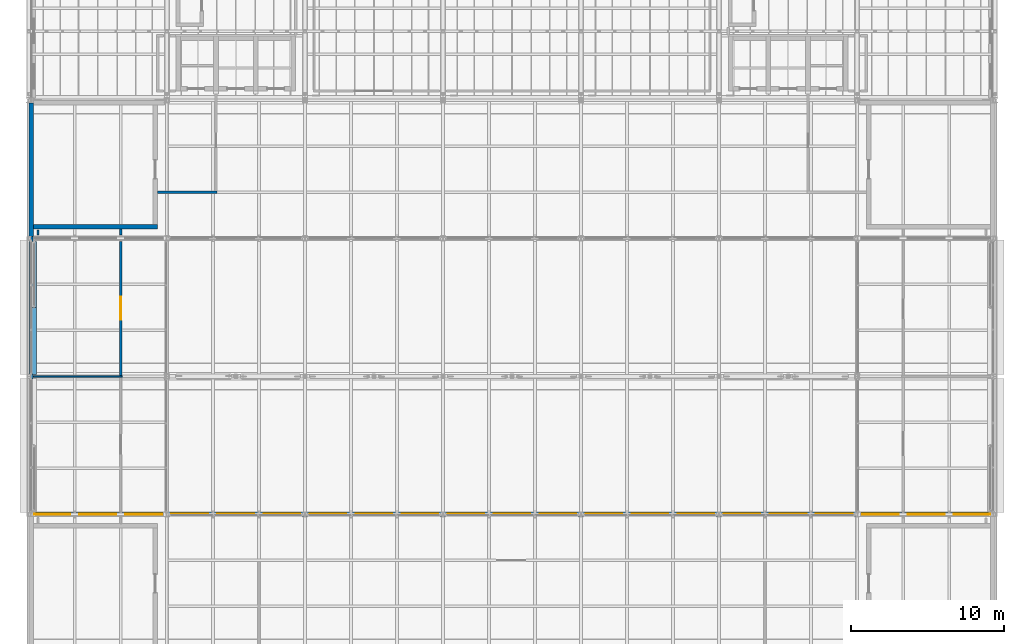
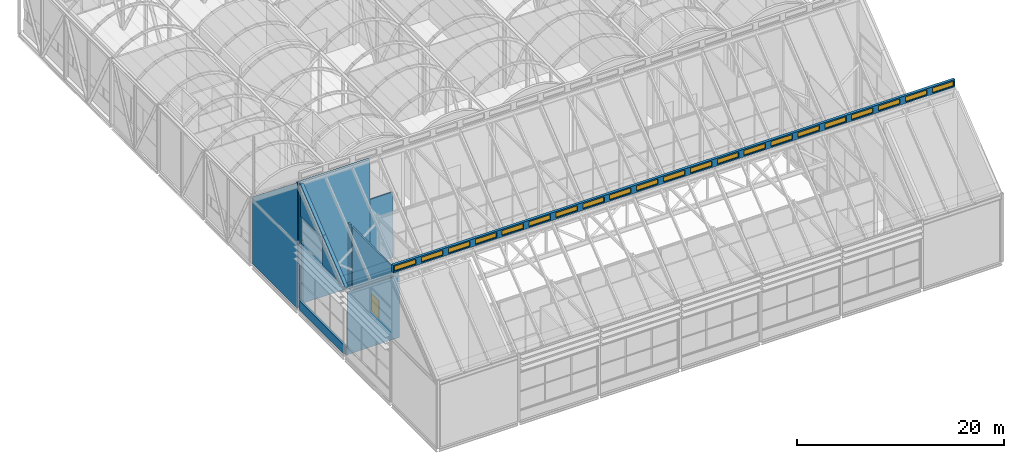
# One storey, part 125 of 144: 21 windows, 13 walls, 1 door, 22 openings.
"""IFC4 building model written with IfcOpenShell, lengths in metres."""

from ifc_helpers import new_model, si_unit, direction, frame, frame_2d, origin, place, context, subcontext, project, spatial, polyline, rectangle, outline, extrude, material, layer, layer_set, type_object, element, fill, save


model = new_model("IFC4")

# Units and contexts
model_context = context("Model", 3, precision=1e-05, world=origin(), true_north=direction((0.0, 1.0)))
body_context = subcontext(model_context, "Body", "Model", "MODEL_VIEW")
ifc_project = project(units=[si_unit("LENGTHUNIT", "METRE"), si_unit("AREAUNIT", "SQUARE_METRE"), si_unit("VOLUMEUNIT", "CUBIC_METRE"), si_unit("PLANEANGLEUNIT", "RADIAN"), si_unit("MASSUNIT", "GRAM", prefix="KILO")], contexts=[model_context])

# Site, building, storey
site_placement = place(None, origin())
site = spatial("IfcSite", under=ifc_project, at=site_placement, CompositionType="ELEMENT")
building_placement = place(site_placement, origin())
building = spatial("IfcBuilding", under=site, at=building_placement, Name="Shorebreak Coast Museum", CompositionType="ELEMENT")
storey_placement = place(building_placement, frame((0.0, 0.0, 36.0)))
storey = spatial("IfcBuildingStorey", under=building, at=storey_placement, Name="L06", CompositionType="ELEMENT", Elevation=36.0)

# Walls
ifc_material_1 = material(Name="Concrete N50 (50 MPa)", Category="concrete")
ifc_layer_1 = layer(ifc_material_1, 0.14990234375)
ifc_layer_set_1 = layer_set([ifc_layer_1], Name="Concrete N50 (50 MPa)")
wall_type_1 = type_object("IfcWallType", Name="Column closure panel 150", PredefinedType="SOLIDWALL", material=ifc_layer_set_1)
wall_1_placement = place(storey_placement, frame((54.199951171875, 71.839111328125, 0.0), z_axis=(0.0, 0.0, 1.0), x_axis=(0.0, 1.0, 0.0)))
element("IfcWall", 1, at=wall_1_placement, inside=storey, type_object=wall_type_1, Name="Column closure panel L06 W 7J", PredefinedType="SOLIDWALL", context=body_context, shape_type="SweptSolid", body=[
    extrude(rectangle(XDim=0.32177734375, YDim=0.14990234375, at=frame_2d((0.160888671875, 0.0))), origin(), (0.0, 0.0, 1.0), 1.10009765625),
])
wall_2_placement = place(storey_placement, frame((54.199951171875, 80.802978515625, 0.0), z_axis=(0.0, 0.0, 1.0), x_axis=(0.0, 1.0, 0.0)))
element("IfcWall", 2, at=wall_2_placement, inside=storey, type_object=wall_type_1, Name="Column closure panel L06 W 7K", PredefinedType="SOLIDWALL", context=body_context, shape_type="SweptSolid", body=[
    extrude(rectangle(XDim=0.322021484375, YDim=0.14990234375, at=frame_2d((0.1611328125, 0.0))), origin(), (0.0, 0.0, 1.0), 14.843994140625),
])
ifc_material_2 = material(Name="Plasterboard on steel stud", Category="steel")
ifc_layer_2 = layer(ifc_material_2, 0.14990234375)
ifc_layer_set_2 = layer_set([ifc_layer_2], Name="Plasterboard on steel stud")
wall_type_2 = type_object("IfcWallType", Name="Fire partition 150", PredefinedType="PARTITIONING", material=ifc_layer_set_2)
wall_3_placement = place(storey_placement, frame((62.39990234375, 84.0, 0.0), z_axis=(0.0, 0.0, 1.0), x_axis=(1.0, 0.0, 0.0)))
element("IfcWall", 3, at=wall_3_placement, inside=storey, type_object=wall_type_2, Name="Partition L06-004", PredefinedType="PARTITIONING", context=body_context, shape_type="SweptSolid", body=[
    extrude(rectangle(XDim=3.875, YDim=0.14990234375, at=frame_2d((1.9375, 0.0))), origin(), (0.0, 0.0, 1.0), 7.743896484375),
])
wall_4_placement = place(storey_placement, frame((54.60009765625, 81.219970703125, 0.0), z_axis=(0.0, 0.0, 1.0), x_axis=(0.0, 1.0, 0.0)))
element("IfcWall", 4, at=wall_4_placement, inside=storey, type_object=wall_type_2, Name="Partition L06-052", PredefinedType="PARTITIONING", context=body_context, shape_type="SweptSolid", body=[
    extrude(rectangle(XDim=0.330078125, YDim=0.14990234375, at=frame_2d((0.1650390625, 0.0))), origin(), (0.0, 0.0, 1.0), 7.743896484375),
])

# Wall, opening, door
wall_5_placement = place(storey_placement, frame((60.0, 72.050048828125, 0.0), z_axis=(0.0, 0.0, 1.0), x_axis=(0.0, 1.0, 0.0)))
wall_5 = element("IfcWall", 5, at=wall_5_placement, inside=storey, type_object=wall_type_2, Name="Partition L06-057", PredefinedType="PARTITIONING", context=body_context, shape_type="SweptSolid", body=[
    extrude(rectangle(XDim=8.72998046875, YDim=0.14990234375, at=frame_2d((4.364990234375, 0.0))), origin(), (0.0, 0.0, 1.0), 7.743896484375),
])
opening_1_placement = place(wall_5_placement, frame((3.64990234375, 0.0, 0.0)))
opening_1 = element("IfcOpeningElement", 6, at=opening_1_placement, cuts=wall_5, Name="Opening D6005", PredefinedType="OPENING", context=body_context, shape_type="SweptSolid", body=[
    extrude(rectangle(XDim=1.5, YDim=2.10009765625, at=frame_2d((0.75, 1.050048828125))), frame((0.0, 0.0849609375, 0.0), z_axis=(0.0, -1.0, 0.0), x_axis=(1.0, 0.0, 0.0)), (0.0, 0.0, 1.0), 0.169921875),
])
ifc_material_3 = material(Name="Steel", Category="steel")
door_type = type_object("IfcDoorType", Name="Fire door 1500x2100 60", OperationType="DOUBLE_DOOR_SINGLE_SWING", PredefinedType="DOOR", material=ifc_material_3)
door_placement = place(opening_1_placement, origin())
door = element("IfcDoor", 7, at=door_placement, inside=storey, type_object=door_type, Name="Door D6005 Paper Conservation Laboratory 6.01", OperationType="DOUBLE_DOOR_SINGLE_SWING", OverallHeight=2.10009765625, OverallWidth=1.5, PredefinedType="DOOR", context=body_context, shape_type="SweptSolid", body=[
    extrude(rectangle(XDim=1.5, YDim=2.10009765625, at=frame_2d((0.75, 1.050048828125))), frame((0.0, 0.02490234375, 0.0), z_axis=(0.0, -1.0, 0.0), x_axis=(1.0, 0.0, 0.0)), (0.0, 0.0, 1.0), 0.050048828125),
])
fill(opening_1, door)

# Walls
wall_6_placement = place(storey_placement, frame((60.0, 81.219970703125, 0.0), z_axis=(0.0, 0.0, 1.0), x_axis=(0.0, 1.0, 0.0)))
element("IfcWall", 8, at=wall_6_placement, inside=storey, type_object=wall_type_2, Name="Partition L06-058", PredefinedType="PARTITIONING", context=body_context, shape_type="SweptSolid", body=[
    extrude(rectangle(XDim=0.380126953125, YDim=0.14990234375, at=frame_2d((0.18994140625, 0.0))), origin(), (0.0, 0.0, 1.0), 7.743896484375),
])
ifc_material_4 = material(Name="Concrete N50 (50 MPa)", Category="concrete")
ifc_layer_3 = layer(ifc_material_4, 0.35009765625)
ifc_layer_set_3 = layer_set([ifc_layer_3], Name="Concrete N50 (50 MPa)")
wall_type_3 = type_object("IfcWallType", Name="Gable crown panel 350", PredefinedType="SOLIDWALL", material=ifc_layer_set_3)
wall_7_placement = place(storey_placement, frame((54.33056640625, 72.125, 7.800048828125), z_axis=(0.0, 0.0, 1.0), x_axis=(0.0, 1.0, 0.0)))
element("IfcWall", 9, at=wall_7_placement, inside=storey, type_object=wall_type_3, Name="Gable crown wedge FOLD-X-54-2 a", PredefinedType="SOLIDWALL", context=body_context, shape_type="SweptSolid", body=[
    extrude(outline(polyline([(0.0, 0.0), (4.375, 0.0), (4.375, 3.5439453125), (0.0, 0.0439453125), (0.0, 0.0)])), frame((0.0, 0.175048828125, 0.0), z_axis=(0.0, -1.0, 0.0), x_axis=(1.0, 0.0, 0.0)), (0.0, 0.0, 1.0), 0.35009765625),
])
wall_8_placement = place(storey_placement, frame((54.33056640625, 76.5, 11.0), z_axis=(0.0, 0.0, 1.0), x_axis=(0.0, 1.0, 0.0)))
element("IfcWall", 10, at=wall_8_placement, inside=storey, type_object=wall_type_3, Name="Gable crown apex FOLD-X-54-2", PredefinedType="SOLIDWALL", context=body_context, shape_type="SweptSolid", body=[
    extrude(outline(polyline([(0.0, 0.0), (4.302978515625, 0.0), (4.302978515625, 3.786376953125), (0.0, 0.343994140625), (0.0, 0.0)])), frame((0.0, 0.175048828125, 0.0), z_axis=(0.0, -1.0, 0.0), x_axis=(1.0, 0.0, 0.0)), (0.0, 0.0, 1.0), 0.35009765625),
])
ifc_material_5 = material(Name="Plasterboard on steel stud", Category="steel")
ifc_layer_4 = layer(ifc_material_5, 0.10009765625)
ifc_layer_set_4 = layer_set([ifc_layer_4], Name="Plasterboard on steel stud")
wall_type_4 = type_object("IfcWallType", Name="Partition 100", PredefinedType="PARTITIONING", material=ifc_layer_set_4)
wall_9_placement = place(storey_placement, frame((54.300048828125, 72.0, 0.0), z_axis=(0.0, 0.0, 1.0), x_axis=(1.0, 0.0, 0.0)))
element("IfcWall", 11, at=wall_9_placement, inside=storey, type_object=wall_type_4, Name="Partition L06-002", PredefinedType="PARTITIONING", context=body_context, shape_type="SweptSolid", body=[
    extrude(rectangle(XDim=5.77490234375, YDim=0.10009765625, at=frame_2d((2.887451171875, 0.0))), origin(), (0.0, 0.0, 1.0), 7.3662109375),
])
ifc_material_6 = material(Name="Concrete N50 (50 MPa)", Category="concrete")
ifc_layer_5 = layer(ifc_material_6, 0.25)
ifc_layer_set_5 = layer_set([ifc_layer_5], Name="Concrete N50 (50 MPa)")
wall_type_5 = type_object("IfcWallType", Name="Precast upper panel 250", PredefinedType="SOLIDWALL", material=ifc_layer_set_5)
wall_10_placement = place(storey_placement, frame((54.14990234375, 72.160888671875, 0.0), z_axis=(0.0, 0.0, 1.0), x_axis=(0.0, 1.0, 0.0)))
element("IfcWall", 12, at=wall_10_placement, inside=storey, type_object=wall_type_5, Name="External wall L06 W 7J", PredefinedType="SOLIDWALL", context=body_context, shape_type="SweptSolid", body=[
    extrude(rectangle(XDim=8.64208984375, YDim=0.25, at=frame_2d((4.321044921875, 0.0))), origin(), (0.0, 0.0, 1.0), 1.10009765625),
])
ifc_material_7 = material(Name="Concrete N50 (50 MPa)", Category="concrete")
ifc_layer_6 = layer(ifc_material_7, 0.300048828125)
ifc_layer_set_6 = layer_set([ifc_layer_6], Name="Concrete N50 (50 MPa)")
wall_type_6 = type_object("IfcWallType", Name="RC wall 300", PredefinedType="SHEAR", material=ifc_layer_set_6)
wall_11_placement = place(storey_placement, frame((54.300048828125, 81.75, 0.0), z_axis=(0.0, 0.0, 1.0), x_axis=(1.0, 0.0, 0.0)))
element("IfcWall", 13, at=wall_11_placement, inside=storey, type_object=wall_type_6, Name="Stair core wall ST03 L06 S", PredefinedType="SHEAR", context=body_context, shape_type="SweptSolid", body=[
    extrude(rectangle(XDim=8.099853515625, YDim=0.300048828125, at=frame_2d((4.0498046875, 0.0))), origin(), (0.0, 0.0, 1.0), 14.343994140625),
])
wall_12_placement = place(storey_placement, frame((54.14990234375, 81.125, 0.0), z_axis=(0.0, 0.0, 1.0), x_axis=(0.0, 1.0, 0.0)))
element("IfcWall", 14, at=wall_12_placement, inside=storey, type_object=wall_type_6, Name="Stair core wall ST03 L06 W", PredefinedType="SHEAR", context=body_context, shape_type="SweptSolid", body=[
    extrude(outline(polyline([(0.0, 0.0), (8.71142578125, 0.0), (8.71142578125, 7.874755859375), (0.0, 14.843994140625), (0.0, 0.0)])), frame((0.0, 0.14990234375, 0.0), z_axis=(0.0, -1.0, 0.0), x_axis=(1.0, 0.0, 0.0)), (0.0, 0.0, 1.0), 0.300048828125),
])

# Wall, openings, windows
ifc_material_8 = material(Name="Concrete N50 (50 MPa)", Category="concrete")
ifc_layer_7 = layer(ifc_material_8, 0.300048828125)
ifc_layer_set_7 = layer_set([ifc_layer_7], Name="Concrete N50 (50 MPa)")
wall_type_7 = type_object("IfcWallType", Name="Ridge lantern kerb 300", PredefinedType="SOLIDWALL", material=ifc_layer_set_7)
wall_13_placement = place(storey_placement, frame((54.14990234375, 63.0, 15.199951171875), z_axis=(0.0, 0.0, 1.0), x_axis=(1.0, 0.0, 0.0)))
wall_13 = element("IfcWall", 15, at=wall_13_placement, inside=storey, type_object=wall_type_7, Name="Ridge lantern FOLD-X R1", PredefinedType="SOLIDWALL", context=body_context, shape_type="SweptSolid", body=[
    extrude(rectangle(XDim=62.7001953125, YDim=0.300048828125, at=frame_2d((31.35009765625, 0.0))), origin(), (0.0, 0.0, 1.0), 0.900146484375),
])
opening_2_placement = place(wall_13_placement, frame((0.14990234375, 0.0, 0.14990234375)))
opening_2 = element("IfcOpeningElement", 16, at=opening_2_placement, cuts=wall_13, Name="Opening R-37", PredefinedType="OPENING", context=body_context, shape_type="SweptSolid", body=[
    extrude(rectangle(XDim=2.39990234375, YDim=0.60009765625, at=frame_2d((1.199951171875, 0.300048828125))), frame((0.0, 0.159912109375, 0.0), z_axis=(0.0, -1.0, 0.0), x_axis=(1.0, 0.0, 0.0)), (0.0, 0.0, 1.0), 0.320068359375),
])
opening_3_placement = place(wall_13_placement, frame((3.14990234375, 0.0, 0.14990234375)))
opening_3 = element("IfcOpeningElement", 17, at=opening_3_placement, cuts=wall_13, Name="Opening R-38", PredefinedType="OPENING", context=body_context, shape_type="SweptSolid", body=[
    extrude(rectangle(XDim=2.39990234375, YDim=0.60009765625, at=frame_2d((1.199951171875, 0.300048828125))), frame((0.0, 0.159912109375, 0.0), z_axis=(0.0, -1.0, 0.0), x_axis=(1.0, 0.0, 0.0)), (0.0, 0.0, 1.0), 0.320068359375),
])
opening_4_placement = place(wall_13_placement, frame((6.14990234375, 0.0, 0.14990234375)))
opening_4 = element("IfcOpeningElement", 18, at=opening_4_placement, cuts=wall_13, Name="Opening R-39", PredefinedType="OPENING", context=body_context, shape_type="SweptSolid", body=[
    extrude(rectangle(XDim=2.39990234375, YDim=0.60009765625, at=frame_2d((1.199951171875, 0.300048828125))), frame((0.0, 0.159912109375, 0.0), z_axis=(0.0, -1.0, 0.0), x_axis=(1.0, 0.0, 0.0)), (0.0, 0.0, 1.0), 0.320068359375),
])
opening_5_placement = place(wall_13_placement, frame((9.14990234375, 0.0, 0.14990234375)))
opening_5 = element("IfcOpeningElement", 19, at=opening_5_placement, cuts=wall_13, Name="Opening R-40", PredefinedType="OPENING", context=body_context, shape_type="SweptSolid", body=[
    extrude(rectangle(XDim=2.39990234375, YDim=0.60009765625, at=frame_2d((1.199951171875, 0.300048828125))), frame((0.0, 0.159912109375, 0.0), z_axis=(0.0, -1.0, 0.0), x_axis=(1.0, 0.0, 0.0)), (0.0, 0.0, 1.0), 0.320068359375),
])
opening_6_placement = place(wall_13_placement, frame((12.14990234375, 0.0, 0.14990234375)))
opening_6 = element("IfcOpeningElement", 20, at=opening_6_placement, cuts=wall_13, Name="Opening R-41", PredefinedType="OPENING", context=body_context, shape_type="SweptSolid", body=[
    extrude(rectangle(XDim=2.39990234375, YDim=0.60009765625, at=frame_2d((1.199951171875, 0.300048828125))), frame((0.0, 0.159912109375, 0.0), z_axis=(0.0, -1.0, 0.0), x_axis=(1.0, 0.0, 0.0)), (0.0, 0.0, 1.0), 0.320068359375),
])
opening_7_placement = place(wall_13_placement, frame((15.14990234375, 0.0, 0.14990234375)))
opening_7 = element("IfcOpeningElement", 21, at=opening_7_placement, cuts=wall_13, Name="Opening R-42", PredefinedType="OPENING", context=body_context, shape_type="SweptSolid", body=[
    extrude(rectangle(XDim=2.39990234375, YDim=0.60009765625, at=frame_2d((1.199951171875, 0.300048828125))), frame((0.0, 0.159912109375, 0.0), z_axis=(0.0, -1.0, 0.0), x_axis=(1.0, 0.0, 0.0)), (0.0, 0.0, 1.0), 0.320068359375),
])
opening_8_placement = place(wall_13_placement, frame((18.14990234375, 0.0, 0.14990234375)))
opening_8 = element("IfcOpeningElement", 22, at=opening_8_placement, cuts=wall_13, Name="Opening R-43", PredefinedType="OPENING", context=body_context, shape_type="SweptSolid", body=[
    extrude(rectangle(XDim=2.39990234375, YDim=0.60009765625, at=frame_2d((1.199951171875, 0.300048828125))), frame((0.0, 0.159912109375, 0.0), z_axis=(0.0, -1.0, 0.0), x_axis=(1.0, 0.0, 0.0)), (0.0, 0.0, 1.0), 0.320068359375),
])
opening_9_placement = place(wall_13_placement, frame((21.14990234375, 0.0, 0.14990234375)))
opening_9 = element("IfcOpeningElement", 23, at=opening_9_placement, cuts=wall_13, Name="Opening R-44", PredefinedType="OPENING", context=body_context, shape_type="SweptSolid", body=[
    extrude(rectangle(XDim=2.39990234375, YDim=0.60009765625, at=frame_2d((1.199951171875, 0.300048828125))), frame((0.0, 0.159912109375, 0.0), z_axis=(0.0, -1.0, 0.0), x_axis=(1.0, 0.0, 0.0)), (0.0, 0.0, 1.0), 0.320068359375),
])
opening_10_placement = place(wall_13_placement, frame((24.14990234375, 0.0, 0.14990234375)))
opening_10 = element("IfcOpeningElement", 24, at=opening_10_placement, cuts=wall_13, Name="Opening R-45", PredefinedType="OPENING", context=body_context, shape_type="SweptSolid", body=[
    extrude(rectangle(XDim=2.39990234375, YDim=0.60009765625, at=frame_2d((1.199951171875, 0.300048828125))), frame((0.0, 0.159912109375, 0.0), z_axis=(0.0, -1.0, 0.0), x_axis=(1.0, 0.0, 0.0)), (0.0, 0.0, 1.0), 0.320068359375),
])
opening_11_placement = place(wall_13_placement, frame((27.14990234375, 0.0, 0.14990234375)))
opening_11 = element("IfcOpeningElement", 25, at=opening_11_placement, cuts=wall_13, Name="Opening R-46", PredefinedType="OPENING", context=body_context, shape_type="SweptSolid", body=[
    extrude(rectangle(XDim=2.39990234375, YDim=0.60009765625, at=frame_2d((1.199951171875, 0.300048828125))), frame((0.0, 0.159912109375, 0.0), z_axis=(0.0, -1.0, 0.0), x_axis=(1.0, 0.0, 0.0)), (0.0, 0.0, 1.0), 0.320068359375),
])
opening_12_placement = place(wall_13_placement, frame((30.14990234375, 0.0, 0.14990234375)))
opening_12 = element("IfcOpeningElement", 26, at=opening_12_placement, cuts=wall_13, Name="Opening R-47", PredefinedType="OPENING", context=body_context, shape_type="SweptSolid", body=[
    extrude(rectangle(XDim=2.39990234375, YDim=0.60009765625, at=frame_2d((1.199951171875, 0.300048828125))), frame((0.0, 0.159912109375, 0.0), z_axis=(0.0, -1.0, 0.0), x_axis=(1.0, 0.0, 0.0)), (0.0, 0.0, 1.0), 0.320068359375),
])
opening_13_placement = place(wall_13_placement, frame((33.14990234375, 0.0, 0.14990234375)))
opening_13 = element("IfcOpeningElement", 27, at=opening_13_placement, cuts=wall_13, Name="Opening R-48", PredefinedType="OPENING", context=body_context, shape_type="SweptSolid", body=[
    extrude(rectangle(XDim=2.39990234375, YDim=0.60009765625, at=frame_2d((1.199951171875, 0.300048828125))), frame((0.0, 0.159912109375, 0.0), z_axis=(0.0, -1.0, 0.0), x_axis=(1.0, 0.0, 0.0)), (0.0, 0.0, 1.0), 0.320068359375),
])
opening_14_placement = place(wall_13_placement, frame((36.14990234375, 0.0, 0.14990234375)))
opening_14 = element("IfcOpeningElement", 28, at=opening_14_placement, cuts=wall_13, Name="Opening R-49", PredefinedType="OPENING", context=body_context, shape_type="SweptSolid", body=[
    extrude(rectangle(XDim=2.39990234375, YDim=0.60009765625, at=frame_2d((1.199951171875, 0.300048828125))), frame((0.0, 0.159912109375, 0.0), z_axis=(0.0, -1.0, 0.0), x_axis=(1.0, 0.0, 0.0)), (0.0, 0.0, 1.0), 0.320068359375),
])
opening_15_placement = place(wall_13_placement, frame((39.14990234375, 0.0, 0.14990234375)))
opening_15 = element("IfcOpeningElement", 29, at=opening_15_placement, cuts=wall_13, Name="Opening R-50", PredefinedType="OPENING", context=body_context, shape_type="SweptSolid", body=[
    extrude(rectangle(XDim=2.39990234375, YDim=0.60009765625, at=frame_2d((1.199951171875, 0.300048828125))), frame((0.0, 0.159912109375, 0.0), z_axis=(0.0, -1.0, 0.0), x_axis=(1.0, 0.0, 0.0)), (0.0, 0.0, 1.0), 0.320068359375),
])
opening_16_placement = place(wall_13_placement, frame((42.14990234375, 0.0, 0.14990234375)))
opening_16 = element("IfcOpeningElement", 30, at=opening_16_placement, cuts=wall_13, Name="Opening R-51", PredefinedType="OPENING", context=body_context, shape_type="SweptSolid", body=[
    extrude(rectangle(XDim=2.39990234375, YDim=0.60009765625, at=frame_2d((1.199951171875, 0.300048828125))), frame((0.0, 0.159912109375, 0.0), z_axis=(0.0, -1.0, 0.0), x_axis=(1.0, 0.0, 0.0)), (0.0, 0.0, 1.0), 0.320068359375),
])
opening_17_placement = place(wall_13_placement, frame((45.14990234375, 0.0, 0.14990234375)))
opening_17 = element("IfcOpeningElement", 31, at=opening_17_placement, cuts=wall_13, Name="Opening R-52", PredefinedType="OPENING", context=body_context, shape_type="SweptSolid", body=[
    extrude(rectangle(XDim=2.39990234375, YDim=0.60009765625, at=frame_2d((1.199951171875, 0.300048828125))), frame((0.0, 0.159912109375, 0.0), z_axis=(0.0, -1.0, 0.0), x_axis=(1.0, 0.0, 0.0)), (0.0, 0.0, 1.0), 0.320068359375),
])
opening_18_placement = place(wall_13_placement, frame((48.14990234375, 0.0, 0.14990234375)))
opening_18 = element("IfcOpeningElement", 32, at=opening_18_placement, cuts=wall_13, Name="Opening R-53", PredefinedType="OPENING", context=body_context, shape_type="SweptSolid", body=[
    extrude(rectangle(XDim=2.39990234375, YDim=0.60009765625, at=frame_2d((1.199951171875, 0.300048828125))), frame((0.0, 0.159912109375, 0.0), z_axis=(0.0, -1.0, 0.0), x_axis=(1.0, 0.0, 0.0)), (0.0, 0.0, 1.0), 0.320068359375),
])
opening_19_placement = place(wall_13_placement, frame((51.14990234375, 0.0, 0.14990234375)))
opening_19 = element("IfcOpeningElement", 33, at=opening_19_placement, cuts=wall_13, Name="Opening R-54", PredefinedType="OPENING", context=body_context, shape_type="SweptSolid", body=[
    extrude(rectangle(XDim=2.39990234375, YDim=0.60009765625, at=frame_2d((1.199951171875, 0.300048828125))), frame((0.0, 0.159912109375, 0.0), z_axis=(0.0, -1.0, 0.0), x_axis=(1.0, 0.0, 0.0)), (0.0, 0.0, 1.0), 0.320068359375),
])
opening_20_placement = place(wall_13_placement, frame((54.14990234375, 0.0, 0.14990234375)))
opening_20 = element("IfcOpeningElement", 34, at=opening_20_placement, cuts=wall_13, Name="Opening R-55", PredefinedType="OPENING", context=body_context, shape_type="SweptSolid", body=[
    extrude(rectangle(XDim=2.39990234375, YDim=0.60009765625, at=frame_2d((1.199951171875, 0.300048828125))), frame((0.0, 0.159912109375, 0.0), z_axis=(0.0, -1.0, 0.0), x_axis=(1.0, 0.0, 0.0)), (0.0, 0.0, 1.0), 0.320068359375),
])
opening_21_placement = place(wall_13_placement, frame((57.14990234375, 0.0, 0.14990234375)))
opening_21 = element("IfcOpeningElement", 35, at=opening_21_placement, cuts=wall_13, Name="Opening R-56", PredefinedType="OPENING", context=body_context, shape_type="SweptSolid", body=[
    extrude(rectangle(XDim=2.39990234375, YDim=0.60009765625, at=frame_2d((1.199951171875, 0.300048828125))), frame((0.0, 0.159912109375, 0.0), z_axis=(0.0, -1.0, 0.0), x_axis=(1.0, 0.0, 0.0)), (0.0, 0.0, 1.0), 0.320068359375),
])
opening_22_placement = place(wall_13_placement, frame((60.14990234375, 0.0, 0.14990234375)))
opening_22 = element("IfcOpeningElement", 36, at=opening_22_placement, cuts=wall_13, Name="Opening R-57", PredefinedType="OPENING", context=body_context, shape_type="SweptSolid", body=[
    extrude(rectangle(XDim=2.39990234375, YDim=0.60009765625, at=frame_2d((1.199951171875, 0.300048828125))), frame((0.0, 0.159912109375, 0.0), z_axis=(0.0, -1.0, 0.0), x_axis=(1.0, 0.0, 0.0)), (0.0, 0.0, 1.0), 0.320068359375),
])
ifc_material_9 = material(Name="Aluminium", Category="aluminium")
window_type = type_object("IfcWindowType", Name="Rooflight 2400 x 600", PartitioningType="SINGLE_PANEL", PredefinedType="SKYLIGHT", material=ifc_material_9)
window_1_placement = place(opening_2_placement, origin())
window_1 = element("IfcWindow", 37, at=window_1_placement, inside=storey, type_object=window_type, Name="Rooflight R-37", OverallHeight=0.60009765625, OverallWidth=2.39990234375, PartitioningType="SINGLE_PANEL", PredefinedType="SKYLIGHT", context=body_context, shape_type="SweptSolid", body=[
    extrude(rectangle(XDim=2.39990234375, YDim=0.60009765625, at=frame_2d((1.199951171875, 0.300048828125))), frame((0.0, 0.030029296875, 0.0), z_axis=(0.0, -1.0, 0.0), x_axis=(1.0, 0.0, 0.0)), (0.0, 0.0, 1.0), 0.06005859375),
])
fill(opening_2, window_1)
window_2_placement = place(opening_3_placement, origin())
window_2 = element("IfcWindow", 38, at=window_2_placement, inside=storey, type_object=window_type, Name="Rooflight R-38", OverallHeight=0.60009765625, OverallWidth=2.39990234375, PartitioningType="SINGLE_PANEL", PredefinedType="SKYLIGHT", context=body_context, shape_type="SweptSolid", body=[
    extrude(rectangle(XDim=2.39990234375, YDim=0.60009765625, at=frame_2d((1.199951171875, 0.300048828125))), frame((0.0, 0.030029296875, 0.0), z_axis=(0.0, -1.0, 0.0), x_axis=(1.0, 0.0, 0.0)), (0.0, 0.0, 1.0), 0.06005859375),
])
fill(opening_3, window_2)
window_3_placement = place(opening_4_placement, origin())
window_3 = element("IfcWindow", 39, at=window_3_placement, inside=storey, type_object=window_type, Name="Rooflight R-39", OverallHeight=0.60009765625, OverallWidth=2.39990234375, PartitioningType="SINGLE_PANEL", PredefinedType="SKYLIGHT", context=body_context, shape_type="SweptSolid", body=[
    extrude(rectangle(XDim=2.39990234375, YDim=0.60009765625, at=frame_2d((1.199951171875, 0.300048828125))), frame((0.0, 0.030029296875, 0.0), z_axis=(0.0, -1.0, 0.0), x_axis=(1.0, 0.0, 0.0)), (0.0, 0.0, 1.0), 0.06005859375),
])
fill(opening_4, window_3)
window_4_placement = place(opening_5_placement, origin())
window_4 = element("IfcWindow", 40, at=window_4_placement, inside=storey, type_object=window_type, Name="Rooflight R-40", OverallHeight=0.60009765625, OverallWidth=2.39990234375, PartitioningType="SINGLE_PANEL", PredefinedType="SKYLIGHT", context=body_context, shape_type="SweptSolid", body=[
    extrude(rectangle(XDim=2.39990234375, YDim=0.60009765625, at=frame_2d((1.199951171875, 0.300048828125))), frame((0.0, 0.030029296875, 0.0), z_axis=(0.0, -1.0, 0.0), x_axis=(1.0, 0.0, 0.0)), (0.0, 0.0, 1.0), 0.06005859375),
])
fill(opening_5, window_4)
window_5_placement = place(opening_6_placement, origin())
window_5 = element("IfcWindow", 41, at=window_5_placement, inside=storey, type_object=window_type, Name="Rooflight R-41", OverallHeight=0.60009765625, OverallWidth=2.39990234375, PartitioningType="SINGLE_PANEL", PredefinedType="SKYLIGHT", context=body_context, shape_type="SweptSolid", body=[
    extrude(rectangle(XDim=2.39990234375, YDim=0.60009765625, at=frame_2d((1.199951171875, 0.300048828125))), frame((0.0, 0.030029296875, 0.0), z_axis=(0.0, -1.0, 0.0), x_axis=(1.0, 0.0, 0.0)), (0.0, 0.0, 1.0), 0.06005859375),
])
fill(opening_6, window_5)
window_6_placement = place(opening_7_placement, origin())
window_6 = element("IfcWindow", 42, at=window_6_placement, inside=storey, type_object=window_type, Name="Rooflight R-42", OverallHeight=0.60009765625, OverallWidth=2.39990234375, PartitioningType="SINGLE_PANEL", PredefinedType="SKYLIGHT", context=body_context, shape_type="SweptSolid", body=[
    extrude(rectangle(XDim=2.39990234375, YDim=0.60009765625, at=frame_2d((1.199951171875, 0.300048828125))), frame((0.0, 0.030029296875, 0.0), z_axis=(0.0, -1.0, 0.0), x_axis=(1.0, 0.0, 0.0)), (0.0, 0.0, 1.0), 0.06005859375),
])
fill(opening_7, window_6)
window_7_placement = place(opening_8_placement, origin())
window_7 = element("IfcWindow", 43, at=window_7_placement, inside=storey, type_object=window_type, Name="Rooflight R-43", OverallHeight=0.60009765625, OverallWidth=2.39990234375, PartitioningType="SINGLE_PANEL", PredefinedType="SKYLIGHT", context=body_context, shape_type="SweptSolid", body=[
    extrude(rectangle(XDim=2.39990234375, YDim=0.60009765625, at=frame_2d((1.199951171875, 0.300048828125))), frame((0.0, 0.030029296875, 0.0), z_axis=(0.0, -1.0, 0.0), x_axis=(1.0, 0.0, 0.0)), (0.0, 0.0, 1.0), 0.06005859375),
])
fill(opening_8, window_7)
window_8_placement = place(opening_9_placement, origin())
window_8 = element("IfcWindow", 44, at=window_8_placement, inside=storey, type_object=window_type, Name="Rooflight R-44", OverallHeight=0.60009765625, OverallWidth=2.39990234375, PartitioningType="SINGLE_PANEL", PredefinedType="SKYLIGHT", context=body_context, shape_type="SweptSolid", body=[
    extrude(rectangle(XDim=2.39990234375, YDim=0.60009765625, at=frame_2d((1.199951171875, 0.300048828125))), frame((0.0, 0.030029296875, 0.0), z_axis=(0.0, -1.0, 0.0), x_axis=(1.0, 0.0, 0.0)), (0.0, 0.0, 1.0), 0.06005859375),
])
fill(opening_9, window_8)
window_9_placement = place(opening_10_placement, origin())
window_9 = element("IfcWindow", 45, at=window_9_placement, inside=storey, type_object=window_type, Name="Rooflight R-45", OverallHeight=0.60009765625, OverallWidth=2.39990234375, PartitioningType="SINGLE_PANEL", PredefinedType="SKYLIGHT", context=body_context, shape_type="SweptSolid", body=[
    extrude(rectangle(XDim=2.39990234375, YDim=0.60009765625, at=frame_2d((1.199951171875, 0.300048828125))), frame((0.0, 0.030029296875, 0.0), z_axis=(0.0, -1.0, 0.0), x_axis=(1.0, 0.0, 0.0)), (0.0, 0.0, 1.0), 0.06005859375),
])
fill(opening_10, window_9)
window_10_placement = place(opening_11_placement, origin())
window_10 = element("IfcWindow", 46, at=window_10_placement, inside=storey, type_object=window_type, Name="Rooflight R-46", OverallHeight=0.60009765625, OverallWidth=2.39990234375, PartitioningType="SINGLE_PANEL", PredefinedType="SKYLIGHT", context=body_context, shape_type="SweptSolid", body=[
    extrude(rectangle(XDim=2.39990234375, YDim=0.60009765625, at=frame_2d((1.199951171875, 0.300048828125))), frame((0.0, 0.030029296875, 0.0), z_axis=(0.0, -1.0, 0.0), x_axis=(1.0, 0.0, 0.0)), (0.0, 0.0, 1.0), 0.06005859375),
])
fill(opening_11, window_10)
window_11_placement = place(opening_12_placement, origin())
window_11 = element("IfcWindow", 47, at=window_11_placement, inside=storey, type_object=window_type, Name="Rooflight R-47", OverallHeight=0.60009765625, OverallWidth=2.39990234375, PartitioningType="SINGLE_PANEL", PredefinedType="SKYLIGHT", context=body_context, shape_type="SweptSolid", body=[
    extrude(rectangle(XDim=2.39990234375, YDim=0.60009765625, at=frame_2d((1.199951171875, 0.300048828125))), frame((0.0, 0.030029296875, 0.0), z_axis=(0.0, -1.0, 0.0), x_axis=(1.0, 0.0, 0.0)), (0.0, 0.0, 1.0), 0.06005859375),
])
fill(opening_12, window_11)
window_12_placement = place(opening_13_placement, origin())
window_12 = element("IfcWindow", 48, at=window_12_placement, inside=storey, type_object=window_type, Name="Rooflight R-48", OverallHeight=0.60009765625, OverallWidth=2.39990234375, PartitioningType="SINGLE_PANEL", PredefinedType="SKYLIGHT", context=body_context, shape_type="SweptSolid", body=[
    extrude(rectangle(XDim=2.39990234375, YDim=0.60009765625, at=frame_2d((1.199951171875, 0.300048828125))), frame((0.0, 0.030029296875, 0.0), z_axis=(0.0, -1.0, 0.0), x_axis=(1.0, 0.0, 0.0)), (0.0, 0.0, 1.0), 0.06005859375),
])
fill(opening_13, window_12)
window_13_placement = place(opening_14_placement, origin())
window_13 = element("IfcWindow", 49, at=window_13_placement, inside=storey, type_object=window_type, Name="Rooflight R-49", OverallHeight=0.60009765625, OverallWidth=2.39990234375, PartitioningType="SINGLE_PANEL", PredefinedType="SKYLIGHT", context=body_context, shape_type="SweptSolid", body=[
    extrude(rectangle(XDim=2.39990234375, YDim=0.60009765625, at=frame_2d((1.199951171875, 0.300048828125))), frame((0.0, 0.030029296875, 0.0), z_axis=(0.0, -1.0, 0.0), x_axis=(1.0, 0.0, 0.0)), (0.0, 0.0, 1.0), 0.06005859375),
])
fill(opening_14, window_13)
window_14_placement = place(opening_15_placement, origin())
window_14 = element("IfcWindow", 50, at=window_14_placement, inside=storey, type_object=window_type, Name="Rooflight R-50", OverallHeight=0.60009765625, OverallWidth=2.39990234375, PartitioningType="SINGLE_PANEL", PredefinedType="SKYLIGHT", context=body_context, shape_type="SweptSolid", body=[
    extrude(rectangle(XDim=2.39990234375, YDim=0.60009765625, at=frame_2d((1.199951171875, 0.300048828125))), frame((0.0, 0.030029296875, 0.0), z_axis=(0.0, -1.0, 0.0), x_axis=(1.0, 0.0, 0.0)), (0.0, 0.0, 1.0), 0.06005859375),
])
fill(opening_15, window_14)
window_15_placement = place(opening_16_placement, origin())
window_15 = element("IfcWindow", 51, at=window_15_placement, inside=storey, type_object=window_type, Name="Rooflight R-51", OverallHeight=0.60009765625, OverallWidth=2.39990234375, PartitioningType="SINGLE_PANEL", PredefinedType="SKYLIGHT", context=body_context, shape_type="SweptSolid", body=[
    extrude(rectangle(XDim=2.39990234375, YDim=0.60009765625, at=frame_2d((1.199951171875, 0.300048828125))), frame((0.0, 0.030029296875, 0.0), z_axis=(0.0, -1.0, 0.0), x_axis=(1.0, 0.0, 0.0)), (0.0, 0.0, 1.0), 0.06005859375),
])
fill(opening_16, window_15)
window_16_placement = place(opening_17_placement, origin())
window_16 = element("IfcWindow", 52, at=window_16_placement, inside=storey, type_object=window_type, Name="Rooflight R-52", OverallHeight=0.60009765625, OverallWidth=2.39990234375, PartitioningType="SINGLE_PANEL", PredefinedType="SKYLIGHT", context=body_context, shape_type="SweptSolid", body=[
    extrude(rectangle(XDim=2.39990234375, YDim=0.60009765625, at=frame_2d((1.199951171875, 0.300048828125))), frame((0.0, 0.030029296875, 0.0), z_axis=(0.0, -1.0, 0.0), x_axis=(1.0, 0.0, 0.0)), (0.0, 0.0, 1.0), 0.06005859375),
])
fill(opening_17, window_16)
window_17_placement = place(opening_18_placement, origin())
window_17 = element("IfcWindow", 53, at=window_17_placement, inside=storey, type_object=window_type, Name="Rooflight R-53", OverallHeight=0.60009765625, OverallWidth=2.39990234375, PartitioningType="SINGLE_PANEL", PredefinedType="SKYLIGHT", context=body_context, shape_type="SweptSolid", body=[
    extrude(rectangle(XDim=2.39990234375, YDim=0.60009765625, at=frame_2d((1.199951171875, 0.300048828125))), frame((0.0, 0.030029296875, 0.0), z_axis=(0.0, -1.0, 0.0), x_axis=(1.0, 0.0, 0.0)), (0.0, 0.0, 1.0), 0.06005859375),
])
fill(opening_18, window_17)
window_18_placement = place(opening_19_placement, origin())
window_18 = element("IfcWindow", 54, at=window_18_placement, inside=storey, type_object=window_type, Name="Rooflight R-54", OverallHeight=0.60009765625, OverallWidth=2.39990234375, PartitioningType="SINGLE_PANEL", PredefinedType="SKYLIGHT", context=body_context, shape_type="SweptSolid", body=[
    extrude(rectangle(XDim=2.39990234375, YDim=0.60009765625, at=frame_2d((1.199951171875, 0.300048828125))), frame((0.0, 0.030029296875, 0.0), z_axis=(0.0, -1.0, 0.0), x_axis=(1.0, 0.0, 0.0)), (0.0, 0.0, 1.0), 0.06005859375),
])
fill(opening_19, window_18)
window_19_placement = place(opening_20_placement, origin())
window_19 = element("IfcWindow", 55, at=window_19_placement, inside=storey, type_object=window_type, Name="Rooflight R-55", OverallHeight=0.60009765625, OverallWidth=2.39990234375, PartitioningType="SINGLE_PANEL", PredefinedType="SKYLIGHT", context=body_context, shape_type="SweptSolid", body=[
    extrude(rectangle(XDim=2.39990234375, YDim=0.60009765625, at=frame_2d((1.199951171875, 0.300048828125))), frame((0.0, 0.030029296875, 0.0), z_axis=(0.0, -1.0, 0.0), x_axis=(1.0, 0.0, 0.0)), (0.0, 0.0, 1.0), 0.06005859375),
])
fill(opening_20, window_19)
window_20_placement = place(opening_21_placement, origin())
window_20 = element("IfcWindow", 56, at=window_20_placement, inside=storey, type_object=window_type, Name="Rooflight R-56", OverallHeight=0.60009765625, OverallWidth=2.39990234375, PartitioningType="SINGLE_PANEL", PredefinedType="SKYLIGHT", context=body_context, shape_type="SweptSolid", body=[
    extrude(rectangle(XDim=2.39990234375, YDim=0.60009765625, at=frame_2d((1.199951171875, 0.300048828125))), frame((0.0, 0.030029296875, 0.0), z_axis=(0.0, -1.0, 0.0), x_axis=(1.0, 0.0, 0.0)), (0.0, 0.0, 1.0), 0.06005859375),
])
fill(opening_21, window_20)
window_21_placement = place(opening_22_placement, origin())
window_21 = element("IfcWindow", 57, at=window_21_placement, inside=storey, type_object=window_type, Name="Rooflight R-57", OverallHeight=0.60009765625, OverallWidth=2.39990234375, PartitioningType="SINGLE_PANEL", PredefinedType="SKYLIGHT", context=body_context, shape_type="SweptSolid", body=[
    extrude(rectangle(XDim=2.39990234375, YDim=0.60009765625, at=frame_2d((1.199951171875, 0.300048828125))), frame((0.0, 0.030029296875, 0.0), z_axis=(0.0, -1.0, 0.0), x_axis=(1.0, 0.0, 0.0)), (0.0, 0.0, 1.0), 0.06005859375),
])
fill(opening_22, window_21)

save(model, "model.ifc")
